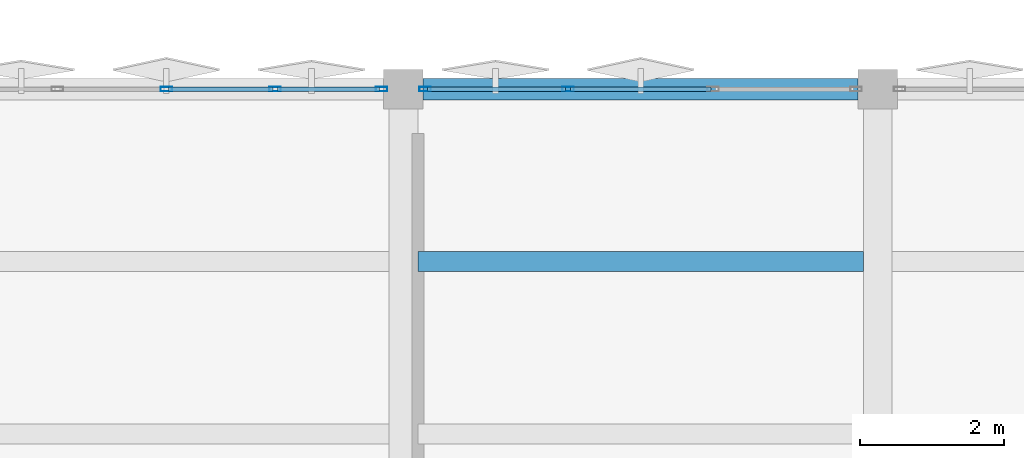
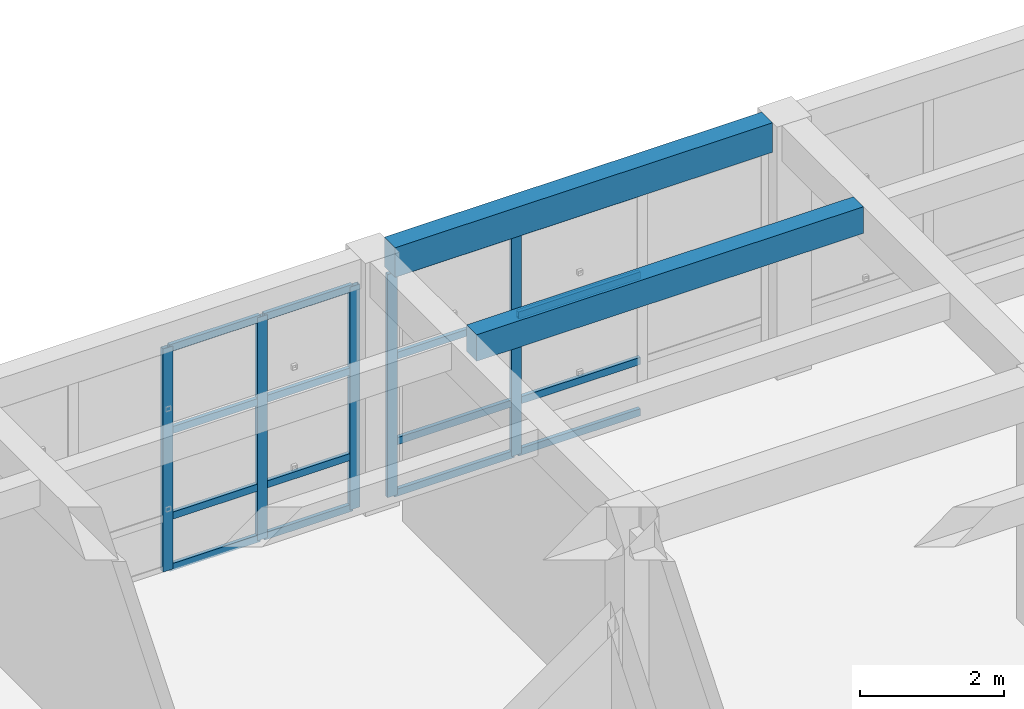
# One storey, part 18 of 39: 21 members, 2 beams, 2 elements without a shape of their own.
"""IFC4 building model written with IfcOpenShell, lengths in metres."""

import ifcopenshell
import ifcopenshell.guid

model = None  # the IFC model being written
_history = None  # IfcOwnerHistory: only IFC2X3 demands one
_inside = {}  # id of a spatial element -> (the spatial element, [elements in it])
_under = {}  # id of a project, library or spatial element -> (it, [spatial elements below it])
_declared = {}  # id of a project -> (the project, [libraries it declares])
_typed = {}  # id of a type object -> (the type object, [elements of that type])
_made_of = {}  # id of a material, layer set ... -> (it, [elements and type objects made of it])


def new_model(schema):
    """Start an empty IFC model of exactly this schema.

    Asked for "IFC4X3", IfcOpenShell would pick the latest addendum, in which some entities
    have other attributes; the version numbers below select the first issue.
    IFC2X3 requires an IfcOwnerHistory on every rooted entity: one is made here for all.
    """
    global model, _history
    if schema == "IFC4X3":
        model = ifcopenshell.file(schema_version=(4, 3, 0, 0))
    else:
        model = ifcopenshell.file(schema=schema)
    _inside.clear()
    _under.clear()
    _declared.clear()
    _typed.clear()
    _made_of.clear()
    _history = None
    if model.schema == "IFC2X3":
        org = make("IfcOrganization", Name="unknown")
        user = make(
            "IfcPersonAndOrganization",
            ThePerson=make("IfcPerson", FamilyName="unknown"),
            TheOrganization=org,
        )
        app = make(
            "IfcApplication",
            ApplicationDeveloper=org,
            Version="unknown",
            ApplicationFullName="unknown",
            ApplicationIdentifier="unknown",
        )
        _history = make(
            "IfcOwnerHistory",
            OwningUser=user,
            OwningApplication=app,
            ChangeAction="ADDED",
            CreationDate=0,
        )
    return model


def make(cls, **values):
    """One entity of the class cls with the attributes given. An attribute that is None is left unset."""
    return model.create_entity(
        cls, **{name: value for name, value in values.items() if value is not None}
    )


def rooted(cls, **values):
    """An entity with a GlobalId (a new one), such as an element, a storey or a relation."""
    return make(cls, GlobalId=ifcopenshell.guid.new(), OwnerHistory=_history, **values)


def si_unit(unit_type, name, prefix=None):
    """IfcSIUnit, for example si_unit("LENGTHUNIT", "METRE", prefix="MILLI")."""
    return make("IfcSIUnit", UnitType=unit_type, Prefix=prefix, Name=name)


def assignment(units):
    """IfcUnitAssignment: the units of a project."""
    return None if units is None else make("IfcUnitAssignment", Units=units)


def point(xyz):
    """IfcCartesianPoint."""
    return None if xyz is None else make("IfcCartesianPoint", Coordinates=xyz)


def direction(xyz):
    """IfcDirection."""
    return None if xyz is None else make("IfcDirection", DirectionRatios=xyz)


def frame(location, z_axis=None, x_axis=None):
    """IfcAxis2Placement3D, a coordinate frame: its origin and axes. An axis left out is left unset."""
    return make(
        "IfcAxis2Placement3D",
        Location=point(location),
        Axis=direction(z_axis),
        RefDirection=direction(x_axis),
    )


def frame_2d(location, x_axis=None):
    """IfcAxis2Placement2D, a coordinate frame in the plane: its origin and x axis."""
    return make(
        "IfcAxis2Placement2D", Location=point(location), RefDirection=direction(x_axis)
    )


def origin():
    """The frame at (0, 0, 0) with its axes left unset."""
    return frame((0.0, 0.0, 0.0))


def origin_2d():
    """The frame at (0, 0) in the plane with its x axis left unset."""
    return frame_2d((0.0, 0.0))


def place(relative_to, where):
    """IfcLocalPlacement: puts the frame where relative to a parent placement (None: the world)."""
    return make(
        "IfcLocalPlacement", PlacementRelTo=relative_to, RelativePlacement=where
    )


def context(
    kind, dimensions, precision=None, world=None, true_north=None, identifier=None
):
    """IfcGeometricRepresentationContext, for example the 3D "Model" context."""
    return make(
        "IfcGeometricRepresentationContext",
        ContextIdentifier=identifier,
        ContextType=kind,
        CoordinateSpaceDimension=dimensions,
        Precision=precision,
        WorldCoordinateSystem=world,
        TrueNorth=true_north,
    )


def subcontext(parent, identifier, kind, view, scale=None):
    """IfcGeometricRepresentationSubContext, for example "Body" below "Model"."""
    return make(
        "IfcGeometricRepresentationSubContext",
        ContextIdentifier=identifier,
        ContextType=kind,
        ParentContext=parent,
        TargetScale=scale,
        TargetView=view,
    )


def project(units=None, contexts=None):
    """IfcProject with its units and contexts."""
    return rooted(
        "IfcProject",
        Name="project",
        RepresentationContexts=contexts,
        UnitsInContext=assignment(units),
    )


def spatial(cls, under=None, at=None, **own):
    """A site, building, storey or space (cls), placed at a placement, below another one or the project."""
    s = rooted(cls, ObjectPlacement=at, **own)
    if under is not None:
        _under.setdefault(under.id(), (under, []))[1].append(s)
    return s


def profile(cls, at=None, kind="AREA", **sizes):
    """A parametric profile (cls). Its sizes go by their IFC names, for example OverallWidth=200.0."""
    return make(cls, ProfileType=kind, Position=at, **sizes)


def rectangle(**sizes):
    """IfcRectangleProfileDef."""
    return profile("IfcRectangleProfileDef", **sizes)


def hollow_rectangle(**sizes):
    """IfcRectangleHollowProfileDef."""
    return profile("IfcRectangleHollowProfileDef", **sizes)


def extrude(swept, where, along, depth):
    """IfcExtrudedAreaSolid: the profile swept, set in the frame where, extruded along a direction by depth."""
    return make(
        "IfcExtrudedAreaSolid",
        SweptArea=swept,
        Position=where,
        ExtrudedDirection=direction(along),
        Depth=depth,
    )


def shape(context_of_items, identifier, shape_type, items):
    """IfcShapeRepresentation: the items that make up one representation, for example the "Body"."""
    return make(
        "IfcShapeRepresentation",
        ContextOfItems=context_of_items,
        RepresentationIdentifier=identifier,
        RepresentationType=shape_type,
        Items=items,
    )


def material(Name=None, Category=None):
    """IfcMaterial."""
    return make("IfcMaterial", Name=Name, Category=Category)


def layer(
    of_material, thickness, ventilated=None, Name=None, Category=None, Priority=None
):
    """IfcMaterialLayer: one layer of a wall or slab, of a material (None: an air gap)."""
    return make(
        "IfcMaterialLayer",
        Material=of_material,
        LayerThickness=thickness,
        IsVentilated=ventilated,
        Name=Name,
        Category=Category,
        Priority=Priority,
    )


def layer_set(layers, Name=None):
    """IfcMaterialLayerSet."""
    return make("IfcMaterialLayerSet", MaterialLayers=layers, LayerSetName=Name)


def material_profile(
    of_material, cross_section, Name=None, Category=None, Priority=None
):
    """IfcMaterialProfile: a cross section and its material."""
    return make(
        "IfcMaterialProfile",
        Name=Name,
        Material=of_material,
        Profile=cross_section,
        Priority=Priority,
        Category=Category,
    )


def profile_set(profiles, Name=None, composite=None):
    """IfcMaterialProfileSet."""
    return make(
        "IfcMaterialProfileSet",
        Name=Name,
        MaterialProfiles=profiles,
        CompositeProfile=composite,
    )


def made_of(thing, what):
    """Note that an element or type object is made of a material, layer set ...; save() writes the relation."""
    if what is not None:
        _made_of.setdefault(what.id(), (what, []))[1].append(thing)
    return thing


def type_object(cls, material=None, **own):
    """A type object (cls), such as IfcWallType, which elements share."""
    return made_of(rooted(cls, **own), material)


def element(
    cls,
    number,
    at=None,
    inside=None,
    cuts=None,
    type_object=None,
    material=None,
    context=None,
    identifier="Body",
    shape_type=None,
    held_by="IfcProductDefinitionShape",
    body=None,
    shapes=None,
    **own,
):
    """One element of the class cls, such as IfcWall. Its Tag is "e" and its number.

    at: its placement. inside: the storey or other place that contains it. cuts: it is an
    opening in that element (IfcRelVoidsElement). A single representation is given by context,
    identifier, shape_type and body (its items); several are given by shapes. held_by: the class
    of the entity that holds the representations. save() writes the other relations.
    """
    e = rooted(cls, Tag="e%d" % number, ObjectPlacement=at, **own)
    if body is not None:
        shapes = [shape(context, identifier, shape_type, body)]
    if shapes is not None:
        e.Representation = make(held_by, Representations=shapes)
    if inside is not None:
        _inside.setdefault(inside.id(), (inside, []))[1].append(e)
    if cuts is not None:
        rooted(
            "IfcRelVoidsElement", RelatingBuildingElement=cuts, RelatedOpeningElement=e
        )
    if type_object is not None:
        _typed.setdefault(type_object.id(), (type_object, []))[1].append(e)
    return made_of(e, material)


def aggregate(whole, parts):
    """IfcRelAggregates: a whole, such as a stair, and the parts it consists of."""
    return rooted("IfcRelAggregates", RelatingObject=whole, RelatedObjects=parts)


def save(model, path):
    """Write the relations noted so far, then the file.

    IfcRelAggregates (storeys below a building ...), IfcRelContainedInSpatialStructure (elements
    in a storey), IfcRelDefinesByType, IfcRelAssociatesMaterial and IfcRelDeclares: one each for
    every whole, place, type object, material and project.
    """
    for whole, parts in _under.values():
        aggregate(whole, parts)
    for where, things in _inside.values():
        rooted(
            "IfcRelContainedInSpatialStructure",
            RelatedElements=things,
            RelatingStructure=where,
        )
    for kind, things in _typed.values():
        rooted("IfcRelDefinesByType", RelatedObjects=things, RelatingType=kind)
    for what, things in _made_of.values():
        rooted("IfcRelAssociatesMaterial", RelatedObjects=things, RelatingMaterial=what)
    for by, libraries in _declared.values():
        rooted("IfcRelDeclares", RelatingContext=by, RelatedDefinitions=libraries)
    model.write(path)


model = new_model("IFC4")

# Units and contexts
model_context = context("Model", 3, precision=1e-05, world=origin(), true_north=direction((0.0, 1.0)))
body_context = subcontext(model_context, "Body", "Model", "MODEL_VIEW")
ifc_project = project(units=[si_unit("LENGTHUNIT", "METRE"), si_unit("AREAUNIT", "SQUARE_METRE"), si_unit("VOLUMEUNIT", "CUBIC_METRE"), si_unit("PLANEANGLEUNIT", "RADIAN"), si_unit("MASSUNIT", "GRAM", prefix="KILO")], contexts=[model_context])

# Site, building, storey
site_placement = place(None, origin())
site = spatial("IfcSite", under=ifc_project, at=site_placement, CompositionType="ELEMENT")
building_placement = place(site_placement, origin())
building = spatial("IfcBuilding", under=site, at=building_placement, Name="Kharisveld Research Institute", CompositionType="ELEMENT")
storey_placement = place(building_placement, frame((0.0, 0.0, 23.10009765625)))
storey = spatial("IfcBuildingStorey", under=building, at=storey_placement, Name="L05", CompositionType="ELEMENT", Elevation=23.10009765625)

# Curtain wall, members
ifc_material_1 = material(Name="Thermally Broken Aluminium Curtain Wall", Category="aluminium")
ifc_layer_1 = layer(ifc_material_1, 0.159912109375)
ifc_layer_set_1 = layer_set([ifc_layer_1], Name="CW_SYS_04")
curtain_wall_type_1 = type_object("IfcCurtainWallType", Name="CW_SYS_04", PredefinedType="NOTDEFINED", material=ifc_layer_set_1)
curtain_wall_1_placement = place(storey_placement, origin())
curtain_wall_1 = element("IfcCurtainWall", 1, at=curtain_wall_1_placement, inside=storey, type_object=curtain_wall_type_1, Name="CW:V2:L05:N3", PredefinedType="NOTDEFINED")
ifc_material_2 = material(Name="Anodised Aluminium AW-6063-T6", Category="aluminium")
ifc_material_profile_1 = material_profile(ifc_material_2, hollow_rectangle(XDim=0.06494140625, YDim=0.159912109375, WallThickness=0.00390625, at=origin_2d()))
ifc_profile_set_1 = profile_set([ifc_material_profile_1], Name="Anodised Aluminium AW-6063-T6")
member_type_1 = type_object("IfcMemberType", Name="CW_MUL_160", PredefinedType="MULLION", material=ifc_profile_set_1)
member_1_placement = place(storey_placement, frame((137.699951171875, 60.800048828125, 0.0), z_axis=(0.0, 0.0, 1.0), x_axis=(0.0, 1.0, 0.0)))
member_1 = element("IfcMember", 2, at=member_1_placement, type_object=member_type_1, Name="CW-04 mullion 3", PredefinedType="MULLION", context=body_context, shape_type="SweptSolid", body=[
    extrude(hollow_rectangle(XDim=0.06494140625, YDim=0.159912109375, WallThickness=0.00390625, at=origin_2d()), origin(), (0.0, 0.0, 1.0), 3.77978515625),
])
member_2_placement = place(storey_placement, frame((139.215087890625, 60.800048828125, 0.0), z_axis=(0.0, 0.0, 1.0), x_axis=(0.0, 1.0, 0.0)))
member_2 = element("IfcMember", 3, at=member_2_placement, type_object=member_type_1, Name="CW-04 mullion 4", PredefinedType="MULLION", context=body_context, shape_type="SweptSolid", body=[
    extrude(hollow_rectangle(XDim=0.06494140625, YDim=0.159912109375, WallThickness=0.00390625, at=origin_2d()), origin(), (0.0, 0.0, 1.0), 3.77978515625),
])
member_3_placement = place(storey_placement, frame((140.697509765625, 60.800048828125, 0.0), z_axis=(0.0, 0.0, 1.0), x_axis=(0.0, 1.0, 0.0)))
member_3 = element("IfcMember", 4, at=member_3_placement, type_object=member_type_1, Name="CW-04 mullion 5", PredefinedType="MULLION", context=body_context, shape_type="SweptSolid", body=[
    extrude(hollow_rectangle(XDim=0.06494140625, YDim=0.159912109375, WallThickness=0.00390625, at=origin_2d()), origin(), (0.0, 0.0, 1.0), 3.77978515625),
])

ifc_material_3 = material(Name="Thermally Broken Aluminium Curtain Wall", Category="aluminium")
ifc_layer_2 = layer(ifc_material_3, 0.159912109375)
ifc_layer_set_2 = layer_set([ifc_layer_2], Name="CW_SYS_05")
curtain_wall_type_2 = type_object("IfcCurtainWallType", Name="CW_SYS_05", PredefinedType="NOTDEFINED", material=ifc_layer_set_2)
curtain_wall_2_placement = place(storey_placement, origin())
curtain_wall_2 = element("IfcCurtainWall", 5, at=curtain_wall_2_placement, inside=storey, type_object=curtain_wall_type_2, Name="CW:V2:L05:N4", PredefinedType="NOTDEFINED")
member_4_placement = place(storey_placement, frame((141.302490234375, 60.800048828125, 0.0), z_axis=(0.0, 0.0, 1.0), x_axis=(0.0, 1.0, 0.0)))
member_4 = element("IfcMember", 6, at=member_4_placement, type_object=member_type_1, Name="CW-05 mullion 1", PredefinedType="MULLION", context=body_context, shape_type="SweptSolid", body=[
    extrude(hollow_rectangle(XDim=0.06494140625, YDim=0.159912109375, WallThickness=0.00390625, at=origin_2d()), origin(), (0.0, 0.0, 1.0), 3.77978515625),
])
member_5_placement = place(storey_placement, frame((143.2900390625, 60.800048828125, 0.0), z_axis=(0.0, 0.0, 1.0), x_axis=(0.0, 1.0, 0.0)))
member_5 = element("IfcMember", 7, at=member_5_placement, type_object=member_type_1, Name="CW-05 mullion 2", PredefinedType="MULLION", context=body_context, shape_type="SweptSolid", body=[
    extrude(hollow_rectangle(XDim=0.06494140625, YDim=0.159912109375, WallThickness=0.00390625, at=origin_2d()), origin(), (0.0, 0.0, 1.0), 3.77978515625),
])

# Member
ifc_material_4 = material(Name="Anodised Aluminium AW-6063-T6", Category="aluminium")
ifc_material_profile_2 = material_profile(ifc_material_4, hollow_rectangle(XDim=0.06005859375, YDim=0.1201171875, WallThickness=0.00390625, at=origin_2d()))
ifc_profile_set_2 = profile_set([ifc_material_profile_2], Name="Anodised Aluminium AW-6063-T6")
member_type_2 = type_object("IfcMemberType", Name="CW_TRN_120", PredefinedType="USERDEFINED", material=ifc_profile_set_2)
member_6_placement = place(storey_placement, frame((137.732421875, 60.800048828125, 0.02978515625), z_axis=(1.0, 0.0, 0.0), x_axis=(0.0, 1.0, 0.0)))
member_6 = element("IfcMember", 8, at=member_6_placement, type_object=member_type_2, Name="CW-04 transom 3.1", ObjectType="TRANSOM", PredefinedType="USERDEFINED", context=body_context, shape_type="SweptSolid", body=[
    extrude(hollow_rectangle(XDim=0.06005859375, YDim=0.1201171875, WallThickness=0.00390625, at=origin_2d()), origin(), (0.0, 0.0, 1.0), 1.4501953125),
])

member_7_placement = place(storey_placement, frame((137.732421875, 60.800048828125, 0.89990234375), z_axis=(1.0, 0.0, 0.0), x_axis=(0.0, 1.0, 0.0)))
member_7 = element("IfcMember", 9, at=member_7_placement, type_object=member_type_2, Name="CW-04 transom 3.2", ObjectType="TRANSOM", PredefinedType="USERDEFINED", context=body_context, shape_type="SweptSolid", body=[
    extrude(hollow_rectangle(XDim=0.06005859375, YDim=0.1201171875, WallThickness=0.00390625, at=origin_2d()), origin(), (0.0, 0.0, 1.0), 1.4501953125),
])

member_8_placement = place(storey_placement, frame((137.732421875, 60.800048828125, 2.349853515625), z_axis=(1.0, 0.0, 0.0), x_axis=(0.0, 1.0, 0.0)))
member_8 = element("IfcMember", 10, at=member_8_placement, type_object=member_type_2, Name="CW-04 transom 3.3", ObjectType="TRANSOM", PredefinedType="USERDEFINED", context=body_context, shape_type="SweptSolid", body=[
    extrude(hollow_rectangle(XDim=0.06005859375, YDim=0.1201171875, WallThickness=0.00390625, at=origin_2d()), origin(), (0.0, 0.0, 1.0), 1.4501953125),
])

member_9_placement = place(storey_placement, frame((137.732421875, 60.800048828125, 3.75), z_axis=(1.0, 0.0, 0.0), x_axis=(0.0, 1.0, 0.0)))
member_9 = element("IfcMember", 11, at=member_9_placement, type_object=member_type_2, Name="CW-04 transom 3.4", ObjectType="TRANSOM", PredefinedType="USERDEFINED", context=body_context, shape_type="SweptSolid", body=[
    extrude(hollow_rectangle(XDim=0.06005859375, YDim=0.1201171875, WallThickness=0.00390625, at=origin_2d()), origin(), (0.0, 0.0, 1.0), 1.4501953125),
])

member_10_placement = place(storey_placement, frame((139.24755859375, 60.800048828125, 0.02978515625), z_axis=(1.0, 0.0, 0.0), x_axis=(0.0, 1.0, 0.0)))
member_10 = element("IfcMember", 12, at=member_10_placement, type_object=member_type_2, Name="CW-04 transom 4.1", ObjectType="TRANSOM", PredefinedType="USERDEFINED", context=body_context, shape_type="SweptSolid", body=[
    extrude(hollow_rectangle(XDim=0.06005859375, YDim=0.1201171875, WallThickness=0.00390625, at=origin_2d()), origin(), (0.0, 0.0, 1.0), 1.41748046875),
])

member_11_placement = place(storey_placement, frame((139.24755859375, 60.800048828125, 0.89990234375), z_axis=(1.0, 0.0, 0.0), x_axis=(0.0, 1.0, 0.0)))
member_11 = element("IfcMember", 13, at=member_11_placement, type_object=member_type_2, Name="CW-04 transom 4.2", ObjectType="TRANSOM", PredefinedType="USERDEFINED", context=body_context, shape_type="SweptSolid", body=[
    extrude(hollow_rectangle(XDim=0.06005859375, YDim=0.1201171875, WallThickness=0.00390625, at=origin_2d()), origin(), (0.0, 0.0, 1.0), 1.41748046875),
])

member_12_placement = place(storey_placement, frame((139.24755859375, 60.800048828125, 2.349853515625), z_axis=(1.0, 0.0, 0.0), x_axis=(0.0, 1.0, 0.0)))
member_12 = element("IfcMember", 14, at=member_12_placement, type_object=member_type_2, Name="CW-04 transom 4.3", ObjectType="TRANSOM", PredefinedType="USERDEFINED", context=body_context, shape_type="SweptSolid", body=[
    extrude(hollow_rectangle(XDim=0.06005859375, YDim=0.1201171875, WallThickness=0.00390625, at=origin_2d()), origin(), (0.0, 0.0, 1.0), 1.41748046875),
])

member_13_placement = place(storey_placement, frame((139.24755859375, 60.800048828125, 3.75), z_axis=(1.0, 0.0, 0.0), x_axis=(0.0, 1.0, 0.0)))
member_13 = element("IfcMember", 15, at=member_13_placement, type_object=member_type_2, Name="CW-04 transom 4.4", ObjectType="TRANSOM", PredefinedType="USERDEFINED", context=body_context, shape_type="SweptSolid", body=[
    extrude(hollow_rectangle(XDim=0.06005859375, YDim=0.1201171875, WallThickness=0.00390625, at=origin_2d()), origin(), (0.0, 0.0, 1.0), 1.41748046875),
])

aggregate(curtain_wall_1, [member_1, member_2, member_3, member_6, member_7, member_8, member_9, member_10, member_11, member_12, member_13])

member_14_placement = place(storey_placement, frame((141.3349609375, 60.800048828125, 0.02978515625), z_axis=(1.0, 0.0, 0.0), x_axis=(0.0, 1.0, 0.0)))
member_14 = element("IfcMember", 16, at=member_14_placement, type_object=member_type_2, Name="CW-05 transom 1.1", ObjectType="TRANSOM", PredefinedType="USERDEFINED", context=body_context, shape_type="SweptSolid", body=[
    extrude(hollow_rectangle(XDim=0.06005859375, YDim=0.1201171875, WallThickness=0.00390625, at=origin_2d()), origin(), (0.0, 0.0, 1.0), 1.922607421875),
])

member_15_placement = place(storey_placement, frame((141.3349609375, 60.800048828125, 0.89990234375), z_axis=(1.0, 0.0, 0.0), x_axis=(0.0, 1.0, 0.0)))
member_15 = element("IfcMember", 17, at=member_15_placement, type_object=member_type_2, Name="CW-05 transom 1.2", ObjectType="TRANSOM", PredefinedType="USERDEFINED", context=body_context, shape_type="SweptSolid", body=[
    extrude(hollow_rectangle(XDim=0.06005859375, YDim=0.1201171875, WallThickness=0.00390625, at=origin_2d()), origin(), (0.0, 0.0, 1.0), 1.922607421875),
])

member_16_placement = place(storey_placement, frame((141.3349609375, 60.800048828125, 2.349853515625), z_axis=(1.0, 0.0, 0.0), x_axis=(0.0, 1.0, 0.0)))
member_16 = element("IfcMember", 18, at=member_16_placement, type_object=member_type_2, Name="CW-05 transom 1.3", ObjectType="TRANSOM", PredefinedType="USERDEFINED", context=body_context, shape_type="SweptSolid", body=[
    extrude(hollow_rectangle(XDim=0.06005859375, YDim=0.1201171875, WallThickness=0.00390625, at=origin_2d()), origin(), (0.0, 0.0, 1.0), 1.922607421875),
])

member_17_placement = place(storey_placement, frame((141.3349609375, 60.800048828125, 3.75), z_axis=(1.0, 0.0, 0.0), x_axis=(0.0, 1.0, 0.0)))
member_17 = element("IfcMember", 19, at=member_17_placement, type_object=member_type_2, Name="CW-05 transom 1.4", ObjectType="TRANSOM", PredefinedType="USERDEFINED", context=body_context, shape_type="SweptSolid", body=[
    extrude(hollow_rectangle(XDim=0.06005859375, YDim=0.1201171875, WallThickness=0.00390625, at=origin_2d()), origin(), (0.0, 0.0, 1.0), 1.922607421875),
])

member_18_placement = place(storey_placement, frame((143.322509765625, 60.800048828125, 0.02978515625), z_axis=(1.0, 0.0, 0.0), x_axis=(0.0, 1.0, 0.0)))
member_18 = element("IfcMember", 20, at=member_18_placement, type_object=member_type_2, Name="CW-05 transom 2.1", ObjectType="TRANSOM", PredefinedType="USERDEFINED", context=body_context, shape_type="SweptSolid", body=[
    extrude(hollow_rectangle(XDim=0.06005859375, YDim=0.1201171875, WallThickness=0.00390625, at=origin_2d()), origin(), (0.0, 0.0, 1.0), 1.955078125),
])

member_19_placement = place(storey_placement, frame((143.322509765625, 60.800048828125, 0.89990234375), z_axis=(1.0, 0.0, 0.0), x_axis=(0.0, 1.0, 0.0)))
member_19 = element("IfcMember", 21, at=member_19_placement, type_object=member_type_2, Name="CW-05 transom 2.2", ObjectType="TRANSOM", PredefinedType="USERDEFINED", context=body_context, shape_type="SweptSolid", body=[
    extrude(hollow_rectangle(XDim=0.06005859375, YDim=0.1201171875, WallThickness=0.00390625, at=origin_2d()), origin(), (0.0, 0.0, 1.0), 1.955078125),
])

member_20_placement = place(storey_placement, frame((143.322509765625, 60.800048828125, 2.349853515625), z_axis=(1.0, 0.0, 0.0), x_axis=(0.0, 1.0, 0.0)))
member_20 = element("IfcMember", 22, at=member_20_placement, type_object=member_type_2, Name="CW-05 transom 2.3", ObjectType="TRANSOM", PredefinedType="USERDEFINED", context=body_context, shape_type="SweptSolid", body=[
    extrude(hollow_rectangle(XDim=0.06005859375, YDim=0.1201171875, WallThickness=0.00390625, at=origin_2d()), origin(), (0.0, 0.0, 1.0), 1.955078125),
])

member_21_placement = place(storey_placement, frame((143.322509765625, 60.800048828125, 3.75), z_axis=(1.0, 0.0, 0.0), x_axis=(0.0, 1.0, 0.0)))
member_21 = element("IfcMember", 23, at=member_21_placement, type_object=member_type_2, Name="CW-05 transom 2.4", ObjectType="TRANSOM", PredefinedType="USERDEFINED", context=body_context, shape_type="SweptSolid", body=[
    extrude(hollow_rectangle(XDim=0.06005859375, YDim=0.1201171875, WallThickness=0.00390625, at=origin_2d()), origin(), (0.0, 0.0, 1.0), 1.955078125),
])

aggregate(curtain_wall_2, [member_4, member_5, member_14, member_15, member_16, member_17, member_18, member_19, member_20, member_21])

# Beams
ifc_material_5 = material(Name="Concrete C40/50", Category="concrete")
ifc_material_profile_3 = material_profile(ifc_material_5, rectangle(XDim=0.300048828125, YDim=0.5, at=origin_2d()))
ifc_profile_set_3 = profile_set([ifc_material_profile_3], Name="Concrete C40/50")
beam_type_1 = type_object("IfcBeamType", Name="SP_RC_300x500", PredefinedType="SPANDREL", material=ifc_profile_set_3)
beam_1_placement = place(storey_placement, frame((141.27490234375, 60.800048828125, 4.039794921875), z_axis=(1.0, 0.0, 0.0), x_axis=(0.0, 1.0, 0.0)))
element("IfcBeam", 24, at=beam_1_placement, inside=storey, type_object=beam_type_1, Name="BM:V2:L05:U4_3", PredefinedType="SPANDREL", context=body_context, shape_type="SweptSolid", body=[
    extrude(rectangle(XDim=0.300048828125, YDim=0.5, at=origin_2d()), origin(), (0.0, 0.0, 1.0), 6.050048828125),
])
ifc_material_6 = material(Name="Concrete C40/50", Category="concrete")
ifc_material_profile_4 = material_profile(ifc_material_6, rectangle(XDim=0.280029296875, YDim=0.449951171875, at=origin_2d()))
ifc_profile_set_4 = profile_set([ifc_material_profile_4], Name="Concrete C40/50")
beam_type_2 = type_object("IfcBeamType", Name="WB_RC_280x450", PredefinedType="JOIST", material=ifc_profile_set_4)
beam_2_placement = place(storey_placement, frame((141.199951171875, 58.39990234375, 4.06494140625), z_axis=(1.0, 0.0, 0.0), x_axis=(0.0, 1.0, 0.0)))
element("IfcBeam", 25, at=beam_2_placement, inside=storey, type_object=beam_type_2, Name="BM:V2:L05:J_4_2_R2", PredefinedType="JOIST", context=body_context, shape_type="SweptSolid", body=[
    extrude(rectangle(XDim=0.280029296875, YDim=0.449951171875, at=origin_2d()), origin(), (0.0, 0.0, 1.0), 6.199951171875),
])

save(model, "model.ifc")
